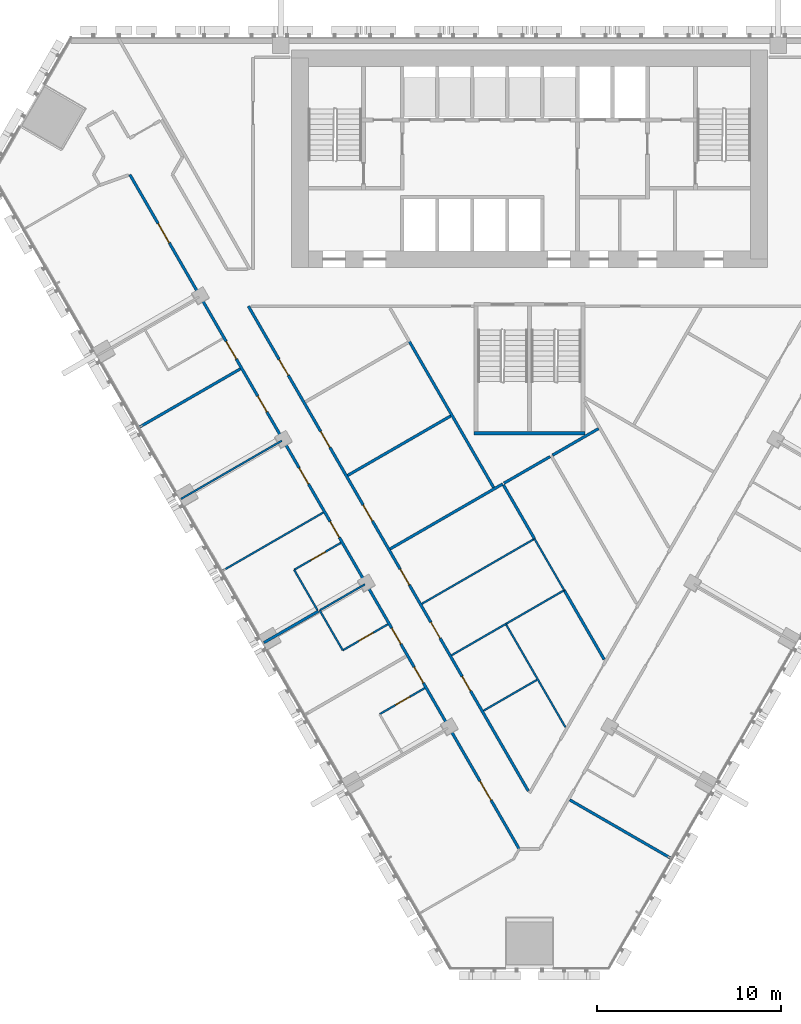
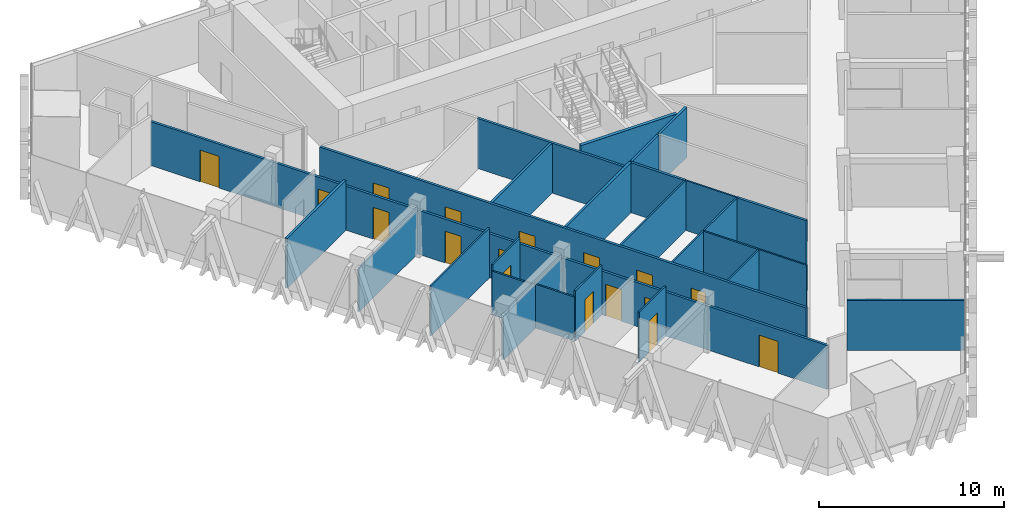
# One storey, part 8 of 15: 27 walls, 17 doors, 17 openings.
"""IFC4 building model written with IfcOpenShell, lengths in metres."""

from ifc_helpers import new_model, si_unit, direction, frame, frame_2d, origin, place, context, subcontext, project, spatial, rectangle, extrude, material, layer, layer_set, type_object, element, fill, save


model = new_model("IFC4")

# Units and contexts
model_context = context("Model", 3, precision=1e-05, world=origin(), true_north=direction((0.0, 1.0)))
body_context = subcontext(model_context, "Body", "Model", "MODEL_VIEW")
ifc_project = project(units=[si_unit("LENGTHUNIT", "METRE"), si_unit("AREAUNIT", "SQUARE_METRE"), si_unit("VOLUMEUNIT", "CUBIC_METRE"), si_unit("PLANEANGLEUNIT", "RADIAN"), si_unit("MASSUNIT", "GRAM", prefix="KILO")], contexts=[model_context])

# Site, building, storey
site_placement = place(None, origin())
site = spatial("IfcSite", under=ifc_project, at=site_placement, CompositionType="ELEMENT")
building_placement = place(site_placement, origin())
building = spatial("IfcBuilding", under=site, at=building_placement, Name="Altiplano Prism Tower", CompositionType="ELEMENT")
storey_placement = place(building_placement, frame((0.0, 0.0, 91.800048828125)))
storey = spatial("IfcBuildingStorey", under=building, at=storey_placement, Name="L23", CompositionType="ELEMENT", Elevation=91.800048828125)

# Wall
ifc_material_1 = material(Name="Plasterboard on steel stud", Category="steel")
ifc_layer_1 = layer(ifc_material_1, 0.10009765625)
ifc_layer_set_1 = layer_set([ifc_layer_1], Name="Plasterboard on steel stud")
wall_type_1 = type_object("IfcWallType", Name="Partition 100 unit", PredefinedType="PARTITIONING", material=ifc_layer_set_1)
wall_1_placement = place(storey_placement, frame((73.496826171875, 73.91162109375, 0.0), z_axis=(0.0, 0.0, 1.0), x_axis=(-0.499976333282, 0.866039067339, 0.0)))
element("IfcWall", 1, at=wall_1_placement, inside=storey, type_object=wall_type_1, Name="Partition P02 L23 048", PredefinedType="PARTITIONING", context=body_context, shape_type="SweptSolid", body=[
    extrude(rectangle(XDim=2.52490234375, YDim=0.10009765625, at=frame_2d((1.262451171875, 0.0))), origin(), (0.0, 0.0, 1.0), 2.89990234375),
])

# Wall, opening, door
wall_2_placement = place(storey_placement, frame((72.234375, 76.098388671875, 0.0), z_axis=(0.0, 0.0, 1.0), x_axis=(0.866046596414, 0.499963291492, 0.0)))
wall_2 = element("IfcWall", 2, at=wall_2_placement, inside=storey, type_object=wall_type_1, Name="Partition P02 L23 049", PredefinedType="PARTITIONING", context=body_context, shape_type="SweptSolid", body=[
    extrude(rectangle(XDim=2.925048828125, YDim=0.10009765625, at=frame_2d((1.46240234375, 0.0))), origin(), (0.0, 0.0, 1.0), 3.300048828125),
])
opening_1_placement = place(wall_2_placement, frame((1.050048828125, 0.0, 0.0)))
opening_1 = element("IfcOpeningElement", 3, at=opening_1_placement, cuts=wall_2, Name="Opening D0858", PredefinedType="OPENING", context=body_context, shape_type="SweptSolid", body=[
    extrude(rectangle(XDim=0.89990234375, YDim=2.10009765625, at=frame_2d((0.449951171875, 1.050048828125))), frame((0.0, 0.060546875, 0.0), z_axis=(0.0, -1.0, 0.0), x_axis=(1.0, 0.0, 0.0)), (0.0, 0.0, 1.0), 0.12109375),
])
ifc_material_2 = material(Name="Timber", Category="wood")
door_type_1 = type_object("IfcDoorType", Name="Ensuite door 900 x 2100", OperationType="NOTDEFINED", PredefinedType="NOTDEFINED", material=ifc_material_2)
door_1_placement = place(opening_1_placement, origin())
door_1 = element("IfcDoor", 4, at=door_1_placement, inside=storey, type_object=door_type_1, Name="Door D0858", OperationType="SINGLE_SWING_RIGHT", OverallHeight=2.10009765625, OverallWidth=0.89990234375, PredefinedType="NOTDEFINED", context=body_context, shape_type="SweptSolid", body=[
    extrude(rectangle(XDim=0.89990234375, YDim=2.10009765625, at=frame_2d((0.449951171875, 1.050048828125))), frame((0.0, 0.02490234375, 0.0), z_axis=(0.0, -1.0, 0.0), x_axis=(1.0, 0.0, 0.0)), (0.0, 0.0, 1.0), 0.050048828125),
])
fill(opening_1, door_1)

wall_3_placement = place(storey_placement, frame((77.3173828125, 73.14404296875, 0.0), z_axis=(0.0, 0.0, 1.0), x_axis=(-0.866048868473, -0.499959355765, 0.0)))
wall_3 = element("IfcWall", 5, at=wall_3_placement, inside=storey, type_object=wall_type_1, Name="Partition P02 L23 052", PredefinedType="PARTITIONING", context=body_context, shape_type="SweptSolid", body=[
    extrude(rectangle(XDim=2.824951171875, YDim=0.10009765625, at=frame_2d((1.41259765625, 0.0))), origin(), (0.0, 0.0, 1.0), 3.300048828125),
])
opening_2_placement = place(wall_3_placement, frame((0.925048828125, 0.0, 0.0)))
opening_2 = element("IfcOpeningElement", 6, at=opening_2_placement, cuts=wall_3, Name="Opening D0860", PredefinedType="OPENING", context=body_context, shape_type="SweptSolid", body=[
    extrude(rectangle(XDim=0.89990234375, YDim=2.10009765625, at=frame_2d((0.449951171875, 1.050048828125))), frame((0.0, 0.060546875, 0.0), z_axis=(0.0, -1.0, 0.0), x_axis=(1.0, 0.0, 0.0)), (0.0, 0.0, 1.0), 0.12109375),
])
door_2_placement = place(opening_2_placement, origin())
door_2 = element("IfcDoor", 7, at=door_2_placement, inside=storey, type_object=door_type_1, Name="Door D0860", OperationType="SINGLE_SWING_RIGHT", OverallHeight=2.10009765625, OverallWidth=0.89990234375, PredefinedType="NOTDEFINED", context=body_context, shape_type="SweptSolid", body=[
    extrude(rectangle(XDim=0.89990234375, YDim=2.10009765625, at=frame_2d((0.449951171875, 1.050048828125))), frame((0.0, 0.02490234375, 0.0), z_axis=(0.0, -1.0, 0.0), x_axis=(1.0, 0.0, 0.0)), (0.0, 0.0, 1.0), 0.050048828125),
])
fill(opening_2, door_2)

# Wall
wall_4_placement = place(storey_placement, frame((74.870849609375, 71.731689453125, 0.0), z_axis=(0.0, 0.0, 1.0), x_axis=(-0.500004234368, 0.866022959057, 0.0)))
element("IfcWall", 8, at=wall_4_placement, inside=storey, type_object=wall_type_1, Name="Partition P02 L23 053", PredefinedType="PARTITIONING", context=body_context, shape_type="SweptSolid", body=[
    extrude(rectangle(XDim=2.5, YDim=0.10009765625, at=frame_2d((1.25, 0.0))), origin(), (0.0, 0.0, 1.0), 2.89990234375),
])

# Wall, opening, door
wall_5_placement = place(storey_placement, frame((76.870849609375, 68.267578125, 0.0), z_axis=(0.0, 0.0, 1.0), x_axis=(0.866011447264, 0.500024172624, 0.0)))
wall_5 = element("IfcWall", 9, at=wall_5_placement, inside=storey, type_object=wall_type_1, Name="Partition P02 L23 056", PredefinedType="PARTITIONING", context=body_context, shape_type="SweptSolid", body=[
    extrude(rectangle(XDim=2.824951171875, YDim=0.10009765625, at=frame_2d((1.41259765625, 0.0))), origin(), (0.0, 0.0, 1.0), 3.300048828125),
])
opening_3_placement = place(wall_5_placement, frame((1.0, 0.0, 0.0)))
opening_3 = element("IfcOpeningElement", 10, at=opening_3_placement, cuts=wall_5, Name="Opening D0862", PredefinedType="OPENING", context=body_context, shape_type="SweptSolid", body=[
    extrude(rectangle(XDim=0.89990234375, YDim=2.10009765625, at=frame_2d((0.449951171875, 1.050048828125))), frame((0.0, 0.060546875, 0.0), z_axis=(0.0, -1.0, 0.0), x_axis=(1.0, 0.0, 0.0)), (0.0, 0.0, 1.0), 0.12109375),
])
door_3_placement = place(opening_3_placement, origin())
door_3 = element("IfcDoor", 11, at=door_3_placement, inside=storey, type_object=door_type_1, Name="Door D0862", OperationType="SINGLE_SWING_RIGHT", OverallHeight=2.10009765625, OverallWidth=0.89990234375, PredefinedType="NOTDEFINED", context=body_context, shape_type="SweptSolid", body=[
    extrude(rectangle(XDim=0.89990234375, YDim=2.10009765625, at=frame_2d((0.449951171875, 1.050048828125))), frame((0.0, 0.02490234375, 0.0), z_axis=(0.0, -1.0, 0.0), x_axis=(1.0, 0.0, 0.0)), (0.0, 0.0, 1.0), 0.050048828125),
])
fill(opening_3, door_3)

# Walls
ifc_layer_2 = layer(ifc_material_1, 0.10009765625)
ifc_layer_set_2 = layer_set([ifc_layer_2], Name="Plasterboard on steel stud")
wall_type_2 = type_object("IfcWallType", Name="Partition 100 wet", PredefinedType="PARTITIONING", material=ifc_layer_set_2)
wall_6_placement = place(storey_placement, frame((82.50634765625, 68.45703125, 0.0), z_axis=(0.0, 0.0, 1.0), x_axis=(0.866039839502, 0.499974995771, 0.0)))
element("IfcWall", 12, at=wall_6_placement, inside=storey, type_object=wall_type_2, Name="Partition P03 L23 034", PredefinedType="PARTITIONING", context=body_context, shape_type="SweptSolid", body=[
    extrude(rectangle(XDim=3.347412109375, YDim=0.10009765625, at=frame_2d((1.673828125, 0.0))), origin(), (0.0, 0.0, 1.0), 3.300048828125),
])
wall_7_placement = place(storey_placement, frame((83.730712890625, 73.171142578125, 0.0), z_axis=(0.0, 0.0, 1.0), x_axis=(-0.8660321259, -0.499988356774, 0.0)))
element("IfcWall", 13, at=wall_7_placement, inside=storey, type_object=wall_type_2, Name="Partition P03 L23 035", PredefinedType="PARTITIONING", context=body_context, shape_type="SweptSolid", body=[
    extrude(rectangle(XDim=3.41748046875, YDim=0.10009765625, at=frame_2d((1.708740234375, 0.0))), origin(), (0.0, 0.0, 1.0), 3.300048828125),
])
wall_8_placement = place(storey_placement, frame((86.947021484375, 67.56005859375, 0.0), z_axis=(0.0, 0.0, 1.0), x_axis=(-0.499983865786, 0.866034718677, 0.0)))
element("IfcWall", 14, at=wall_8_placement, inside=storey, type_object=wall_type_2, Name="Partition P03 L23 036", PredefinedType="PARTITIONING", context=body_context, shape_type="SweptSolid", body=[
    extrude(rectangle(XDim=6.467529296875, YDim=0.10009765625, at=frame_2d((3.23388671875, 0.0))), origin(), (0.0, 0.0, 1.0), 3.300048828125),
])
wall_9_placement = place(storey_placement, frame((66.08984375, 79.94091796875, 0.0), z_axis=(0.0, 0.0, 1.0), x_axis=(0.866015887322, 0.500016482634, 0.0)))
element("IfcWall", 15, at=wall_9_placement, inside=storey, type_object=wall_type_2, Name="Partition P03 L23 046", PredefinedType="PARTITIONING", context=body_context, shape_type="SweptSolid", body=[
    extrude(rectangle(XDim=6.324951171875, YDim=0.10009765625, at=frame_2d((3.16259765625, 0.0))), origin(), (0.0, 0.0, 1.0), 2.89990234375),
])
wall_10_placement = place(storey_placement, frame((68.322265625, 76.03369140625, 0.0), z_axis=(0.0, 0.0, 1.0), x_axis=(0.866025401434, 0.500000004071, 0.0)))
element("IfcWall", 16, at=wall_10_placement, inside=storey, type_object=wall_type_2, Name="Partition P03 L23 047", PredefinedType="PARTITIONING", context=body_context, shape_type="SweptSolid", body=[
    extrude(rectangle(XDim=6.34521484375, YDim=0.10009765625, at=frame_2d((3.172607421875, 0.0))), origin(), (0.0, 0.0, 1.0), 3.300048828125),
])
wall_11_placement = place(storey_placement, frame((73.620849609375, 73.896728515625, 0.0), z_axis=(0.0, 0.0, 1.0), x_axis=(0.866011447264, 0.500024172624, 0.0)))
element("IfcWall", 17, at=wall_11_placement, inside=storey, type_object=wall_type_2, Name="Partition P03 L23 051", PredefinedType="PARTITIONING", context=body_context, shape_type="SweptSolid", body=[
    extrude(rectangle(XDim=2.824951171875, YDim=0.10009765625, at=frame_2d((1.41259765625, 0.0))), origin(), (0.0, 0.0, 1.0), 2.89990234375),
])
wall_12_placement = place(storey_placement, frame((85.271484375, 77.781494140625, 0.0), z_axis=(0.0, 0.0, 1.0), x_axis=(0.499960739398, -0.866048069717, 0.0)))
element("IfcWall", 18, at=wall_12_placement, inside=storey, type_object=wall_type_2, Name="Partition P03 L23 078", PredefinedType="PARTITIONING", context=body_context, shape_type="SweptSolid", body=[
    extrude(rectangle(XDim=3.222412109375, YDim=0.10009765625, at=frame_2d((1.611328125, 0.0))), origin(), (0.0, 0.0, 1.0), 3.300048828125),
])
wall_13_placement = place(storey_placement, frame((79.159912109375, 74.2529296875, 0.0), z_axis=(0.0, 0.0, 1.0), x_axis=(0.86602254688, 0.500004948271, 0.0)))
element("IfcWall", 19, at=wall_13_placement, inside=storey, type_object=wall_type_2, Name="Partition P03 L23 087", PredefinedType="PARTITIONING", context=body_context, shape_type="SweptSolid", body=[
    extrude(rectangle(XDim=7.05712890625, YDim=0.10009765625, at=frame_2d((3.528564453125, 0.0))), origin(), (0.0, 0.0, 1.0), 3.300048828125),
])
wall_14_placement = place(storey_placement, frame((83.71337890625, 73.1611328125, 0.0), z_axis=(0.0, 0.0, 1.0), x_axis=(0.866042269935, 0.499970785833, 0.0)))
element("IfcWall", 20, at=wall_14_placement, inside=storey, type_object=wall_type_2, Name="Partition P03 L23 088", PredefinedType="PARTITIONING", context=body_context, shape_type="SweptSolid", body=[
    extrude(rectangle(XDim=3.659423828125, YDim=0.10009765625, at=frame_2d((1.82958984375, 0.0))), origin(), (0.0, 0.0, 1.0), 3.300048828125),
])

# Wall, openings, doors
ifc_layer_3 = layer(ifc_material_1, 0.14990234375)
ifc_layer_set_3 = layer_set([ifc_layer_3], Name="Plasterboard on steel stud")
wall_type_3 = type_object("IfcWallType", Name="Partition 150 corridor", PredefinedType="PARTITIONING", material=ifc_layer_set_3)
wall_15_placement = place(storey_placement, frame((84.93505859375, 64.10009765625, 0.0), z_axis=(0.0, 0.0, 1.0), x_axis=(-0.500003132916, 0.866023594987, 0.0)))
wall_15 = element("IfcWall", 21, at=wall_15_placement, inside=storey, type_object=wall_type_3, Name="Partition P06 L23 001", PredefinedType="PARTITIONING", context=body_context, shape_type="SweptSolid", body=[
    extrude(rectangle(XDim=30.368408203125, YDim=0.14990234375, at=frame_2d((15.18408203125, 0.0))), origin(), (0.0, 0.0, 1.0), 3.300048828125),
])
opening_4_placement = place(wall_15_placement, frame((6.27294921875, 0.0, 0.0)))
opening_4 = element("IfcOpeningElement", 22, at=opening_4_placement, cuts=wall_15, Name="Opening D0847", PredefinedType="OPENING", context=body_context, shape_type="SweptSolid", body=[
    extrude(rectangle(XDim=0.89990234375, YDim=2.10009765625, at=frame_2d((0.449951171875, 1.050048828125))), frame((0.0, 0.08544921875, 0.0), z_axis=(0.0, -1.0, 0.0), x_axis=(1.0, 0.0, 0.0)), (0.0, 0.0, 1.0), 0.1708984375),
])
opening_5_placement = place(wall_15_placement, frame((21.52490234375, 0.0, 0.0)))
opening_5 = element("IfcOpeningElement", 23, at=opening_5_placement, cuts=wall_15, Name="Opening D0878", PredefinedType="OPENING", context=body_context, shape_type="SweptSolid", body=[
    extrude(rectangle(XDim=1.0, YDim=2.10009765625, at=frame_2d((0.5, 1.050048828125))), frame((0.0, 0.08544921875, 0.0), z_axis=(0.0, -1.0, 0.0), x_axis=(1.0, 0.0, 0.0)), (0.0, 0.0, 1.0), 0.1708984375),
])
opening_6_placement = place(wall_15_placement, frame((16.9208984375, 0.0, 0.0)))
opening_6 = element("IfcOpeningElement", 24, at=opening_6_placement, cuts=wall_15, Name="Opening D0879", PredefinedType="OPENING", context=body_context, shape_type="SweptSolid", body=[
    extrude(rectangle(XDim=1.0, YDim=2.10009765625, at=frame_2d((0.5, 1.050048828125))), frame((0.0, 0.08544921875, 0.0), z_axis=(0.0, -1.0, 0.0), x_axis=(1.0, 0.0, 0.0)), (0.0, 0.0, 1.0), 0.1708984375),
])
opening_7_placement = place(wall_15_placement, frame((26.041015625, 0.0, 0.0)))
opening_7 = element("IfcOpeningElement", 25, at=opening_7_placement, cuts=wall_15, Name="Opening D0882", PredefinedType="OPENING", context=body_context, shape_type="SweptSolid", body=[
    extrude(rectangle(XDim=1.0, YDim=2.10009765625, at=frame_2d((0.5, 1.050048828125))), frame((0.0, 0.08544921875, 0.0), z_axis=(0.0, -1.0, 0.0), x_axis=(1.0, 0.0, 0.0)), (0.0, 0.0, 1.0), 0.1708984375),
])
opening_8_placement = place(wall_15_placement, frame((12.89990234375, 0.0, 0.0)))
opening_8 = element("IfcOpeningElement", 26, at=opening_8_placement, cuts=wall_15, Name="Opening D0885", PredefinedType="OPENING", context=body_context, shape_type="SweptSolid", body=[
    extrude(rectangle(XDim=1.0, YDim=2.10009765625, at=frame_2d((0.5, 1.050048828125))), frame((0.0, 0.08544921875, 0.0), z_axis=(0.0, -1.0, 0.0), x_axis=(1.0, 0.0, 0.0)), (0.0, 0.0, 1.0), 0.1708984375),
])
opening_9_placement = place(wall_15_placement, frame((9.569091796875, 0.0, 0.0)))
opening_9 = element("IfcOpeningElement", 27, at=opening_9_placement, cuts=wall_15, Name="Opening D0886", PredefinedType="OPENING", context=body_context, shape_type="SweptSolid", body=[
    extrude(rectangle(XDim=1.0, YDim=2.10009765625, at=frame_2d((0.5, 1.050048828125))), frame((0.0, 0.08544921875, 0.0), z_axis=(0.0, -1.0, 0.0), x_axis=(1.0, 0.0, 0.0)), (0.0, 0.0, 1.0), 0.1708984375),
])
door_type_2 = type_object("IfcDoorType", Name="Room door 1000 x 2100", OperationType="NOTDEFINED", PredefinedType="NOTDEFINED", material=ifc_material_2)
door_4_placement = place(opening_5_placement, origin())
door_4 = element("IfcDoor", 28, at=door_4_placement, inside=storey, type_object=door_type_2, Name="Door D0878", OperationType="SINGLE_SWING_RIGHT", OverallHeight=2.10009765625, OverallWidth=1.0, PredefinedType="NOTDEFINED", context=body_context, shape_type="SweptSolid", body=[
    extrude(rectangle(XDim=1.0, YDim=2.10009765625, at=frame_2d((0.5, 1.050048828125))), frame((0.0, 0.02490234375, 0.0), z_axis=(0.0, -1.0, 0.0), x_axis=(1.0, 0.0, 0.0)), (0.0, 0.0, 1.0), 0.050048828125),
])
fill(opening_5, door_4)
door_5_placement = place(opening_6_placement, origin())
door_5 = element("IfcDoor", 29, at=door_5_placement, inside=storey, type_object=door_type_2, Name="Door D0879", OperationType="SINGLE_SWING_LEFT", OverallHeight=2.10009765625, OverallWidth=1.0, PredefinedType="NOTDEFINED", context=body_context, shape_type="SweptSolid", body=[
    extrude(rectangle(XDim=1.0, YDim=2.10009765625, at=frame_2d((0.5, 1.050048828125))), frame((0.0, 0.02490234375, 0.0), z_axis=(0.0, -1.0, 0.0), x_axis=(1.0, 0.0, 0.0)), (0.0, 0.0, 1.0), 0.050048828125),
])
fill(opening_6, door_5)
door_6_placement = place(opening_9_placement, origin())
door_6 = element("IfcDoor", 30, at=door_6_placement, inside=storey, type_object=door_type_2, Name="Door D0886", OperationType="SINGLE_SWING_LEFT", OverallHeight=2.10009765625, OverallWidth=1.0, PredefinedType="NOTDEFINED", context=body_context, shape_type="SweptSolid", body=[
    extrude(rectangle(XDim=1.0, YDim=2.10009765625, at=frame_2d((0.5, 1.050048828125))), frame((0.0, 0.02490234375, 0.0), z_axis=(0.0, -1.0, 0.0), x_axis=(1.0, 0.0, 0.0)), (0.0, 0.0, 1.0), 0.050048828125),
])
fill(opening_9, door_6)
door_type_3 = type_object("IfcDoorType", Name="Store door 1000 x 2100", OperationType="NOTDEFINED", PredefinedType="NOTDEFINED", material=ifc_material_2)
door_7_placement = place(opening_7_placement, origin())
door_7 = element("IfcDoor", 31, at=door_7_placement, inside=storey, type_object=door_type_3, Name="Door D0882", OperationType="SINGLE_SWING_LEFT", OverallHeight=2.10009765625, OverallWidth=1.0, PredefinedType="NOTDEFINED", context=body_context, shape_type="SweptSolid", body=[
    extrude(rectangle(XDim=1.0, YDim=2.10009765625, at=frame_2d((0.5, 1.050048828125))), frame((0.0, 0.02490234375, 0.0), z_axis=(0.0, -1.0, 0.0), x_axis=(1.0, 0.0, 0.0)), (0.0, 0.0, 1.0), 0.050048828125),
])
fill(opening_7, door_7)
door_8_placement = place(opening_8_placement, origin())
door_8 = element("IfcDoor", 32, at=door_8_placement, inside=storey, type_object=door_type_3, Name="Door D0885", OperationType="SINGLE_SWING_LEFT", OverallHeight=2.10009765625, OverallWidth=1.0, PredefinedType="NOTDEFINED", context=body_context, shape_type="SweptSolid", body=[
    extrude(rectangle(XDim=1.0, YDim=2.10009765625, at=frame_2d((0.5, 1.050048828125))), frame((0.0, 0.02490234375, 0.0), z_axis=(0.0, -1.0, 0.0), x_axis=(1.0, 0.0, 0.0)), (0.0, 0.0, 1.0), 0.050048828125),
])
fill(opening_8, door_8)
door_type_4 = type_object("IfcDoorType", Name="Toilet door 900 x 2100", OperationType="NOTDEFINED", PredefinedType="NOTDEFINED", material=ifc_material_2)
door_9_placement = place(opening_4_placement, origin())
door_9 = element("IfcDoor", 33, at=door_9_placement, inside=storey, type_object=door_type_4, Name="Door D0847", OperationType="SINGLE_SWING_LEFT", OverallHeight=2.10009765625, OverallWidth=0.89990234375, PredefinedType="NOTDEFINED", context=body_context, shape_type="SweptSolid", body=[
    extrude(rectangle(XDim=0.89990234375, YDim=2.10009765625, at=frame_2d((0.449951171875, 1.050048828125))), frame((0.0, 0.02490234375, 0.0), z_axis=(0.0, -1.0, 0.0), x_axis=(1.0, 0.0, 0.0)), (0.0, 0.0, 1.0), 0.050048828125),
])
fill(opening_4, door_9)

wall_16_placement = place(storey_placement, frame((63.3193359375, 97.53955078125, 0.0), z_axis=(0.0, 0.0, 1.0), x_axis=(0.500001382442, -0.86602460563, 0.0)))
wall_16 = element("IfcWall", 34, at=wall_16_placement, inside=storey, type_object=wall_type_3, Name="Partition P06 L23 014", PredefinedType="PARTITIONING", context=body_context, shape_type="SweptSolid", body=[
    extrude(rectangle(XDim=42.25244140625, YDim=0.14990234375, at=frame_2d((21.126220703125, 0.0))), origin(), (0.0, 0.0, 1.0), 2.89990234375),
])
opening_10_placement = place(wall_16_placement, frame((3.075927734375, 0.0, 0.0)))
opening_10 = element("IfcOpeningElement", 35, at=opening_10_placement, cuts=wall_16, Name="Opening D0852", PredefinedType="OPENING", context=body_context, shape_type="SweptSolid", body=[
    extrude(rectangle(XDim=1.199951171875, YDim=2.10009765625, at=frame_2d((0.60009765625, 1.050048828125))), frame((0.0, 0.08544921875, 0.0), z_axis=(0.0, -1.0, 0.0), x_axis=(1.0, 0.0, 0.0)), (0.0, 0.0, 1.0), 0.1708984375),
])
opening_11_placement = place(wall_16_placement, frame((10.455078125, 0.0, 0.0)))
opening_11 = element("IfcOpeningElement", 36, at=opening_11_placement, cuts=wall_16, Name="Opening D0853", PredefinedType="OPENING", context=body_context, shape_type="SweptSolid", body=[
    extrude(rectangle(XDim=1.10009765625, YDim=2.10009765625, at=frame_2d((0.550048828125, 1.050048828125))), frame((0.0, 0.08544921875, 0.0), z_axis=(0.0, -1.0, 0.0), x_axis=(1.0, 0.0, 0.0)), (0.0, 0.0, 1.0), 0.1708984375),
])
opening_12_placement = place(wall_16_placement, frame((13.8759765625, 0.0, 0.0)))
opening_12 = element("IfcOpeningElement", 37, at=opening_12_placement, cuts=wall_16, Name="Opening D0855", PredefinedType="OPENING", context=body_context, shape_type="SweptSolid", body=[
    extrude(rectangle(XDim=1.0, YDim=2.10009765625, at=frame_2d((0.5, 1.050048828125))), frame((0.0, 0.08544921875, 0.0), z_axis=(0.0, -1.0, 0.0), x_axis=(1.0, 0.0, 0.0)), (0.0, 0.0, 1.0), 0.1708984375),
])
opening_13_placement = place(wall_16_placement, frame((18.3759765625, 0.0, 0.0)))
opening_13 = element("IfcOpeningElement", 38, at=opening_13_placement, cuts=wall_16, Name="Opening D0856", PredefinedType="OPENING", context=body_context, shape_type="SweptSolid", body=[
    extrude(rectangle(XDim=1.0, YDim=2.10009765625, at=frame_2d((0.5, 1.050048828125))), frame((0.0, 0.08544921875, 0.0), z_axis=(0.0, -1.0, 0.0), x_axis=(1.0, 0.0, 0.0)), (0.0, 0.0, 1.0), 0.1708984375),
])
opening_14_placement = place(wall_16_placement, frame((21.73095703125, 0.0, 0.0)))
opening_14 = element("IfcOpeningElement", 39, at=opening_14_placement, cuts=wall_16, Name="Opening D0857", PredefinedType="OPENING", context=body_context, shape_type="SweptSolid", body=[
    extrude(rectangle(XDim=1.0, YDim=2.10009765625, at=frame_2d((0.5, 1.050048828125))), frame((0.0, 0.08544921875, 0.0), z_axis=(0.0, -1.0, 0.0), x_axis=(1.0, 0.0, 0.0)), (0.0, 0.0, 1.0), 0.1708984375),
])
opening_15_placement = place(wall_16_placement, frame((28.406005859375, 0.0, 0.0)))
opening_15 = element("IfcOpeningElement", 40, at=opening_15_placement, cuts=wall_16, Name="Opening D0859", PredefinedType="OPENING", context=body_context, shape_type="SweptSolid", body=[
    extrude(rectangle(XDim=1.0, YDim=2.10009765625, at=frame_2d((0.5, 1.050048828125))), frame((0.0, 0.08544921875, 0.0), z_axis=(0.0, -1.0, 0.0), x_axis=(1.0, 0.0, 0.0)), (0.0, 0.0, 1.0), 0.1708984375),
])
opening_16_placement = place(wall_16_placement, frame((30.846923828125, 0.0, 0.0)))
opening_16 = element("IfcOpeningElement", 41, at=opening_16_placement, cuts=wall_16, Name="Opening D0861", PredefinedType="OPENING", context=body_context, shape_type="SweptSolid", body=[
    extrude(rectangle(XDim=1.0, YDim=2.10009765625, at=frame_2d((0.5, 1.050048828125))), frame((0.0, 0.08544921875, 0.0), z_axis=(0.0, -1.0, 0.0), x_axis=(1.0, 0.0, 0.0)), (0.0, 0.0, 1.0), 0.1708984375),
])
opening_17_placement = place(wall_16_placement, frame((37.989013671875, 0.0, 0.0)))
opening_17 = element("IfcOpeningElement", 42, at=opening_17_placement, cuts=wall_16, Name="Opening D0863", PredefinedType="OPENING", context=body_context, shape_type="SweptSolid", body=[
    extrude(rectangle(XDim=1.199951171875, YDim=2.10009765625, at=frame_2d((0.60009765625, 1.050048828125))), frame((0.0, 0.08544921875, 0.0), z_axis=(0.0, -1.0, 0.0), x_axis=(1.0, 0.0, 0.0)), (0.0, 0.0, 1.0), 0.1708984375),
])
door_type_5 = type_object("IfcDoorType", Name="Accessible bedroom door 1100 x 2100", OperationType="NOTDEFINED", PredefinedType="NOTDEFINED", material=ifc_material_2)
door_10_placement = place(opening_11_placement, origin())
door_10 = element("IfcDoor", 43, at=door_10_placement, inside=storey, type_object=door_type_5, Name="Door D0853", OperationType="SINGLE_SWING_RIGHT", OverallHeight=2.10009765625, OverallWidth=1.10009765625, PredefinedType="NOTDEFINED", context=body_context, shape_type="SweptSolid", body=[
    extrude(rectangle(XDim=1.10009765625, YDim=2.10009765625, at=frame_2d((0.550048828125, 1.050048828125))), frame((0.0, 0.02490234375, 0.0), z_axis=(0.0, -1.0, 0.0), x_axis=(1.0, 0.0, 0.0)), (0.0, 0.0, 1.0), 0.050048828125),
])
fill(opening_11, door_10)
door_type_6 = type_object("IfcDoorType", Name="Bedroom entrance door 1000 x 2100", OperationType="NOTDEFINED", PredefinedType="NOTDEFINED", material=ifc_material_2)
door_11_placement = place(opening_14_placement, origin())
door_11 = element("IfcDoor", 44, at=door_11_placement, inside=storey, type_object=door_type_6, Name="Door D0857", OperationType="SINGLE_SWING_RIGHT", OverallHeight=2.10009765625, OverallWidth=1.0, PredefinedType="NOTDEFINED", context=body_context, shape_type="SweptSolid", body=[
    extrude(rectangle(XDim=1.0, YDim=2.10009765625, at=frame_2d((0.5, 1.050048828125))), frame((0.0, 0.02490234375, 0.0), z_axis=(0.0, -1.0, 0.0), x_axis=(1.0, 0.0, 0.0)), (0.0, 0.0, 1.0), 0.050048828125),
])
fill(opening_14, door_11)
door_12_placement = place(opening_15_placement, origin())
door_12 = element("IfcDoor", 45, at=door_12_placement, inside=storey, type_object=door_type_6, Name="Door D0859", OperationType="SINGLE_SWING_LEFT", OverallHeight=2.10009765625, OverallWidth=1.0, PredefinedType="NOTDEFINED", context=body_context, shape_type="SweptSolid", body=[
    extrude(rectangle(XDim=1.0, YDim=2.10009765625, at=frame_2d((0.5, 1.050048828125))), frame((0.0, 0.02490234375, 0.0), z_axis=(0.0, -1.0, 0.0), x_axis=(1.0, 0.0, 0.0)), (0.0, 0.0, 1.0), 0.050048828125),
])
fill(opening_15, door_12)
door_13_placement = place(opening_16_placement, origin())
door_13 = element("IfcDoor", 46, at=door_13_placement, inside=storey, type_object=door_type_6, Name="Door D0861", OperationType="SINGLE_SWING_RIGHT", OverallHeight=2.10009765625, OverallWidth=1.0, PredefinedType="NOTDEFINED", context=body_context, shape_type="SweptSolid", body=[
    extrude(rectangle(XDim=1.0, YDim=2.10009765625, at=frame_2d((0.5, 1.050048828125))), frame((0.0, 0.02490234375, 0.0), z_axis=(0.0, -1.0, 0.0), x_axis=(1.0, 0.0, 0.0)), (0.0, 0.0, 1.0), 0.050048828125),
])
fill(opening_16, door_13)
door_14_placement = place(opening_12_placement, origin())
door_14 = element("IfcDoor", 47, at=door_14_placement, inside=storey, type_object=door_type_2, Name="Door D0855", OperationType="SINGLE_SWING_LEFT", OverallHeight=2.10009765625, OverallWidth=1.0, PredefinedType="NOTDEFINED", context=body_context, shape_type="SweptSolid", body=[
    extrude(rectangle(XDim=1.0, YDim=2.10009765625, at=frame_2d((0.5, 1.050048828125))), frame((0.0, 0.02490234375, 0.0), z_axis=(0.0, -1.0, 0.0), x_axis=(1.0, 0.0, 0.0)), (0.0, 0.0, 1.0), 0.050048828125),
])
fill(opening_12, door_14)
door_15_placement = place(opening_13_placement, origin())
door_15 = element("IfcDoor", 48, at=door_15_placement, inside=storey, type_object=door_type_2, Name="Door D0856", OperationType="SINGLE_SWING_LEFT", OverallHeight=2.10009765625, OverallWidth=1.0, PredefinedType="NOTDEFINED", context=body_context, shape_type="SweptSolid", body=[
    extrude(rectangle(XDim=1.0, YDim=2.10009765625, at=frame_2d((0.5, 1.050048828125))), frame((0.0, 0.02490234375, 0.0), z_axis=(0.0, -1.0, 0.0), x_axis=(1.0, 0.0, 0.0)), (0.0, 0.0, 1.0), 0.050048828125),
])
fill(opening_13, door_15)
door_type_7 = type_object("IfcDoorType", Name="Shared room door 1200 x 2100", OperationType="NOTDEFINED", PredefinedType="NOTDEFINED", material=ifc_material_2)
door_16_placement = place(opening_10_placement, origin())
door_16 = element("IfcDoor", 49, at=door_16_placement, inside=storey, type_object=door_type_7, Name="Door D0852", OperationType="SINGLE_SWING_RIGHT", OverallHeight=2.10009765625, OverallWidth=1.199951171875, PredefinedType="NOTDEFINED", context=body_context, shape_type="SweptSolid", body=[
    extrude(rectangle(XDim=1.199951171875, YDim=2.10009765625, at=frame_2d((0.60009765625, 1.050048828125))), frame((0.0, 0.02490234375, 0.0), z_axis=(0.0, -1.0, 0.0), x_axis=(1.0, 0.0, 0.0)), (0.0, 0.0, 1.0), 0.050048828125),
])
fill(opening_10, door_16)
door_17_placement = place(opening_17_placement, origin())
door_17 = element("IfcDoor", 50, at=door_17_placement, inside=storey, type_object=door_type_7, Name="Door D0863", OperationType="SINGLE_SWING_LEFT", OverallHeight=2.10009765625, OverallWidth=1.199951171875, PredefinedType="NOTDEFINED", context=body_context, shape_type="SweptSolid", body=[
    extrude(rectangle(XDim=1.199951171875, YDim=2.10009765625, at=frame_2d((0.60009765625, 1.050048828125))), frame((0.0, 0.02490234375, 0.0), z_axis=(0.0, -1.0, 0.0), x_axis=(1.0, 0.0, 0.0)), (0.0, 0.0, 1.0), 0.050048828125),
])
fill(opening_17, door_17)

# Walls
ifc_layer_4 = layer(ifc_material_1, 0.14990234375)
ifc_layer_set_4 = layer_set([ifc_layer_4], Name="Plasterboard on steel stud")
wall_type_4 = type_object("IfcWallType", Name="Partition 150 party", PredefinedType="PARTITIONING", material=ifc_layer_set_4)
wall_17_placement = place(storey_placement, frame((63.822265625, 83.827880859375, 0.0), z_axis=(0.0, 0.0, 1.0), x_axis=(0.866025401434, 0.500000004071, 0.0)))
element("IfcWall", 51, at=wall_17_placement, inside=storey, type_object=wall_type_4, Name="Partition P01 L23 045", PredefinedType="PARTITIONING", context=body_context, shape_type="SweptSolid", body=[
    extrude(rectangle(XDim=6.34521484375, YDim=0.14990234375, at=frame_2d((3.172607421875, 0.0))), origin(), (0.0, 0.0, 1.0), 3.300048828125),
])
wall_18_placement = place(storey_placement, frame((70.58984375, 72.146728515625, 0.0), z_axis=(0.0, 0.0, 1.0), x_axis=(0.866038183914, 0.499977863513, 0.0)))
element("IfcWall", 52, at=wall_18_placement, inside=storey, type_object=wall_type_4, Name="Partition P01 L23 050", PredefinedType="PARTITIONING", context=body_context, shape_type="SweptSolid", body=[
    extrude(rectangle(XDim=3.420166015625, YDim=0.14990234375, at=frame_2d((1.7099609375, 0.0))), origin(), (0.0, 0.0, 1.0), 2.89990234375),
])
wall_19_placement = place(storey_placement, frame((92.677734375, 60.4453125, 0.0), z_axis=(0.0, 0.0, 1.0), x_axis=(-0.866025401434, 0.500000004071, 0.0)))
element("IfcWall", 53, at=wall_19_placement, inside=storey, type_object=wall_type_4, Name="Partition P01 L23 060", PredefinedType="PARTITIONING", context=body_context, shape_type="SweptSolid", body=[
    extrude(rectangle(XDim=6.34521484375, YDim=0.14990234375, at=frame_2d((3.172607421875, 0.0))), origin(), (0.0, 0.0, 1.0), 3.300048828125),
])
wall_20_placement = place(storey_placement, frame((86.116943359375, 82.24072265625, 0.0), z_axis=(0.0, 0.0, 1.0), x_axis=(-0.866048989054, -0.499959146889, 0.0)))
element("IfcWall", 54, at=wall_20_placement, inside=storey, type_object=wall_type_4, Name="Partition P01 L23 075", PredefinedType="PARTITIONING", context=body_context, shape_type="SweptSolid", body=[
    extrude(rectangle(XDim=2.886962890625, YDim=0.14990234375, at=frame_2d((1.443359375, 0.0))), origin(), (0.0, 0.0, 1.0), 3.300048828125),
])
wall_21_placement = place(storey_placement, frame((83.58935546875, 80.69482421875, 0.0), z_axis=(0.0, 0.0, 1.0), x_axis=(0.500026084466, -0.866010343387, 0.0)))
element("IfcWall", 55, at=wall_21_placement, inside=storey, type_object=wall_type_4, Name="Partition P01 L23 077", PredefinedType="PARTITIONING", context=body_context, shape_type="SweptSolid", body=[
    extrude(rectangle(XDim=3.364013671875, YDim=0.14990234375, at=frame_2d((1.68212890625, 0.0))), origin(), (0.0, 0.0, 1.0), 3.300048828125),
])
wall_22_placement = place(storey_placement, frame((86.882568359375, 74.99072265625, 0.0), z_axis=(0.0, 0.0, 1.0), x_axis=(0.500004862322, -0.866022596503, 0.0)))
element("IfcWall", 56, at=wall_22_placement, inside=storey, type_object=wall_type_4, Name="Partition P01 L23 079", PredefinedType="PARTITIONING", context=body_context, shape_type="SweptSolid", body=[
    extrude(rectangle(XDim=4.34033203125, YDim=0.14990234375, at=frame_2d((2.170166015625, 0.0))), origin(), (0.0, 0.0, 1.0), 3.300048828125),
])
wall_23_placement = place(storey_placement, frame((75.138427734375, 81.218505859375, 0.0), z_axis=(0.0, 0.0, 1.0), x_axis=(0.866011069627, 0.500024826668, 0.0)))
element("IfcWall", 57, at=wall_23_placement, inside=storey, type_object=wall_type_4, Name="Partition P01 L23 080", PredefinedType="PARTITIONING", context=body_context, shape_type="SweptSolid", body=[
    extrude(rectangle(XDim=6.453369140625, YDim=0.14990234375, at=frame_2d((3.2265625, 0.0))), origin(), (0.0, 0.0, 1.0), 3.300048828125),
])
wall_24_placement = place(storey_placement, frame((83.056640625, 80.560546875, 0.0), z_axis=(0.0, 0.0, 1.0), x_axis=(-0.500011831956, 0.866018572493, 0.0)))
element("IfcWall", 58, at=wall_24_placement, inside=storey, type_object=wall_type_4, Name="Partition P01 L23 081", PredefinedType="PARTITIONING", context=body_context, shape_type="SweptSolid", body=[
    extrude(rectangle(XDim=9.153076171875, YDim=0.14990234375, at=frame_2d((4.57666015625, 0.0))), origin(), (0.0, 0.0, 1.0), 3.300048828125),
])
wall_25_placement = place(storey_placement, frame((77.4404296875, 77.2314453125, 0.0), z_axis=(0.0, 0.0, 1.0), x_axis=(0.866028878405, 0.499993981732, 0.0)))
element("IfcWall", 59, at=wall_25_placement, inside=storey, type_object=wall_type_4, Name="Partition P01 L23 083", PredefinedType="PARTITIONING", context=body_context, shape_type="SweptSolid", body=[
    extrude(rectangle(XDim=7.056640625, YDim=0.14990234375, at=frame_2d((3.5283203125, 0.0))), origin(), (0.0, 0.0, 1.0), 3.300048828125),
])
wall_26_placement = place(storey_placement, frame((86.246826171875, 82.315673828125, 0.0), z_axis=(0.0, 0.0, 1.0), x_axis=(0.865991226713, 0.500059191753, 0.0)))
element("IfcWall", 60, at=wall_26_placement, inside=storey, type_object=wall_type_4, Name="Partition P01 L23 086", PredefinedType="PARTITIONING", context=body_context, shape_type="SweptSolid", body=[
    extrude(rectangle(XDim=2.886962890625, YDim=0.14990234375, at=frame_2d((1.443359375, 0.0))), origin(), (0.0, 0.0, 1.0), 3.300048828125),
])
ifc_material_3 = material(Name="Concrete C60/75", Category="concrete")
ifc_layer_5 = layer(ifc_material_3, 0.199951171875)
ifc_layer_set_5 = layer_set([ifc_layer_5], Name="Concrete C60/75")
wall_type_5 = type_object("IfcWallType", Name="Stair wall 200", PredefinedType="SOLIDWALL", material=ifc_layer_set_5)
wall_27_placement = place(storey_placement, frame((82.0, 83.5, 0.0), z_axis=(0.0, 0.0, 1.0), x_axis=(1.0, 0.0, 0.0)))
element("IfcWall", 61, at=wall_27_placement, inside=storey, type_object=wall_type_5, Name="Stair 3 wall south L23", PredefinedType="SOLIDWALL", context=body_context, shape_type="SweptSolid", body=[
    extrude(rectangle(XDim=6.0, YDim=0.199951171875, at=frame_2d((3.0, 0.0))), origin(), (0.0, 0.0, 1.0), 3.300048828125),
])

save(model, "model.ifc")
